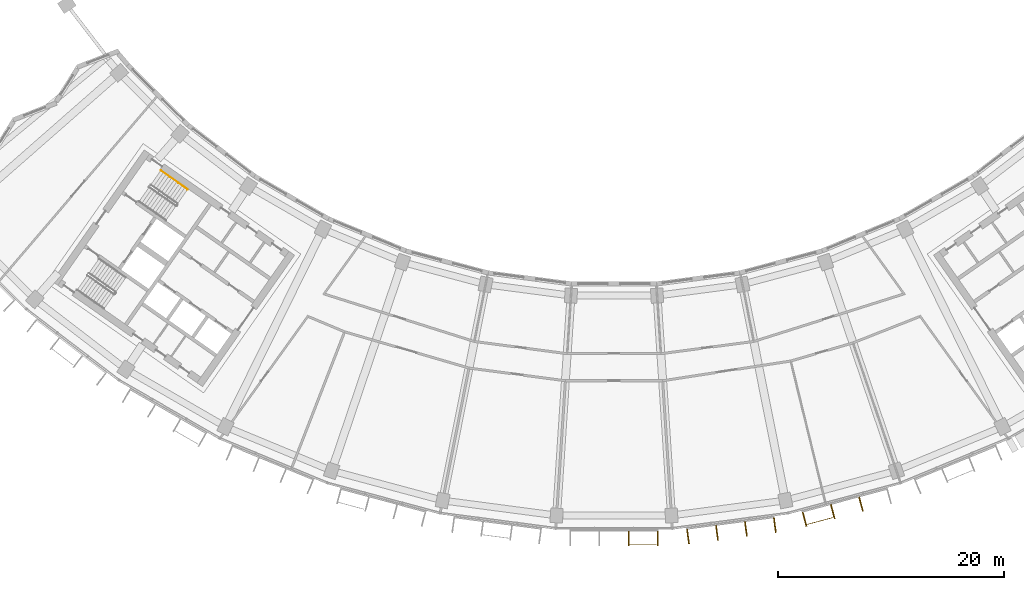
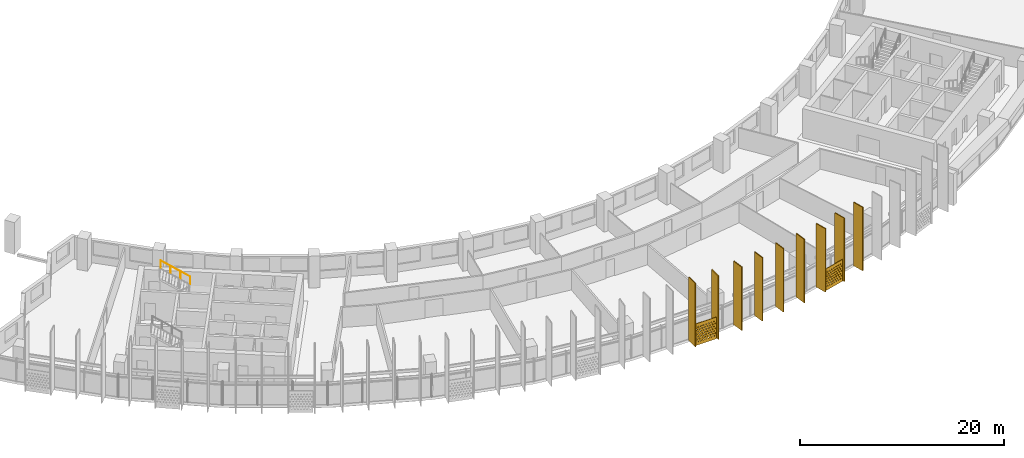
# One storey, part 24 of 27: 11 shading devices, 1 railing.
"""IFC4 building model written with IfcOpenShell, lengths in metres."""

from ifc_helpers import new_model, si_unit, direction, frame, origin, origin_2d, place, context, subcontext, project, spatial, polyline, rectangle, circle, outline, extrude, material, material_profile, profile_set, type_object, element, save


model = new_model("IFC4")

# Units and contexts
model_context = context("Model", 3, precision=1e-05, world=origin(), true_north=direction((0.0, 1.0)))
body_context = subcontext(model_context, "Body", "Model", "MODEL_VIEW")
ifc_project = project(units=[si_unit("LENGTHUNIT", "METRE"), si_unit("AREAUNIT", "SQUARE_METRE"), si_unit("VOLUMEUNIT", "CUBIC_METRE"), si_unit("PLANEANGLEUNIT", "RADIAN"), si_unit("MASSUNIT", "GRAM", prefix="KILO")], contexts=[model_context])

# Site, building, storey
site_placement = place(None, origin())
site = spatial("IfcSite", under=ifc_project, at=site_placement, CompositionType="ELEMENT")
building_placement = place(site_placement, origin())
building = spatial("IfcBuilding", under=site, at=building_placement, Name="Qamariyya Broadcast Tower", CompositionType="ELEMENT")
storey_placement = place(building_placement, frame((0.0, 0.0, 164.5)))
storey = spatial("IfcBuildingStorey", under=building, at=storey_placement, Name="L38", CompositionType="ELEMENT", Elevation=164.5)

# Shading devices
ifc_material_1 = material(Name="Perforated glazed terracotta", Category="masonry")
ifc_material_profile_1 = material_profile(ifc_material_1, outline(polyline([(-1.199951171875, -1.300048828125), (1.199951171875, -1.300048828125), (1.199951171875, 1.300048828125), (-1.199951171875, 1.300048828125), (-1.199951171875, -1.300048828125)]), holes=[polyline([(-0.81494140625, -0.86669921875), (-0.89990234375, -0.78173828125), (-0.985107421875, -0.86669921875), (-0.89990234375, -0.95166015625), (-0.81494140625, -0.86669921875)]), polyline([(-0.514892578125, -0.86669921875), (-0.60009765625, -0.78173828125), (-0.68505859375, -0.86669921875), (-0.60009765625, -0.95166015625), (-0.514892578125, -0.86669921875)]), polyline([(-0.215087890625, -0.86669921875), (-0.300048828125, -0.78173828125), (-0.385009765625, -0.86669921875), (-0.300048828125, -0.95166015625), (-0.215087890625, -0.86669921875)]), polyline([(0.0849609375, -0.86669921875), (0.0, -0.78173828125), (-0.0849609375, -0.86669921875), (0.0, -0.95166015625), (0.0849609375, -0.86669921875)]), polyline([(0.385009765625, -0.86669921875), (0.300048828125, -0.78173828125), (0.215087890625, -0.86669921875), (0.300048828125, -0.95166015625), (0.385009765625, -0.86669921875)]), polyline([(0.68505859375, -0.86669921875), (0.60009765625, -0.78173828125), (0.514892578125, -0.86669921875), (0.60009765625, -0.95166015625), (0.68505859375, -0.86669921875)]), polyline([(0.985107421875, -0.86669921875), (0.89990234375, -0.78173828125), (0.81494140625, -0.86669921875), (0.89990234375, -0.95166015625), (0.985107421875, -0.86669921875)]), polyline([(-0.965087890625, -0.577880859375), (-1.050048828125, -0.49267578125), (-1.135009765625, -0.577880859375), (-1.050048828125, -0.662841796875), (-0.965087890625, -0.577880859375)]), polyline([(-0.6650390625, -0.577880859375), (-0.75, -0.49267578125), (-0.8349609375, -0.577880859375), (-0.75, -0.662841796875), (-0.6650390625, -0.577880859375)]), polyline([(-0.364990234375, -0.577880859375), (-0.449951171875, -0.49267578125), (-0.534912109375, -0.577880859375), (-0.449951171875, -0.662841796875), (-0.364990234375, -0.577880859375)]), polyline([(-0.06494140625, -0.577880859375), (-0.14990234375, -0.49267578125), (-0.235107421875, -0.577880859375), (-0.14990234375, -0.662841796875), (-0.06494140625, -0.577880859375)]), polyline([(0.235107421875, -0.577880859375), (0.14990234375, -0.49267578125), (0.06494140625, -0.577880859375), (0.14990234375, -0.662841796875), (0.235107421875, -0.577880859375)]), polyline([(0.534912109375, -0.577880859375), (0.449951171875, -0.49267578125), (0.364990234375, -0.577880859375), (0.449951171875, -0.662841796875), (0.534912109375, -0.577880859375)]), polyline([(0.8349609375, -0.577880859375), (0.75, -0.49267578125), (0.6650390625, -0.577880859375), (0.75, -0.662841796875), (0.8349609375, -0.577880859375)]), polyline([(1.135009765625, -0.577880859375), (1.050048828125, -0.49267578125), (0.965087890625, -0.577880859375), (1.050048828125, -0.662841796875), (1.135009765625, -0.577880859375)]), polyline([(-0.81494140625, -0.288818359375), (-0.89990234375, -0.203857421875), (-0.985107421875, -0.288818359375), (-0.89990234375, -0.373779296875), (-0.81494140625, -0.288818359375)]), polyline([(-0.514892578125, -0.288818359375), (-0.60009765625, -0.203857421875), (-0.68505859375, -0.288818359375), (-0.60009765625, -0.373779296875), (-0.514892578125, -0.288818359375)]), polyline([(-0.215087890625, -0.288818359375), (-0.300048828125, -0.203857421875), (-0.385009765625, -0.288818359375), (-0.300048828125, -0.373779296875), (-0.215087890625, -0.288818359375)]), polyline([(0.0849609375, -0.288818359375), (0.0, -0.203857421875), (-0.0849609375, -0.288818359375), (0.0, -0.373779296875), (0.0849609375, -0.288818359375)]), polyline([(0.385009765625, -0.288818359375), (0.300048828125, -0.203857421875), (0.215087890625, -0.288818359375), (0.300048828125, -0.373779296875), (0.385009765625, -0.288818359375)]), polyline([(0.68505859375, -0.288818359375), (0.60009765625, -0.203857421875), (0.514892578125, -0.288818359375), (0.60009765625, -0.373779296875), (0.68505859375, -0.288818359375)]), polyline([(0.985107421875, -0.288818359375), (0.89990234375, -0.203857421875), (0.81494140625, -0.288818359375), (0.89990234375, -0.373779296875), (0.985107421875, -0.288818359375)]), polyline([(-0.965087890625, 0.0), (-1.050048828125, 0.0849609375), (-1.135009765625, 0.0), (-1.050048828125, -0.0849609375), (-0.965087890625, 0.0)]), polyline([(-0.6650390625, 0.0), (-0.75, 0.0849609375), (-0.8349609375, 0.0), (-0.75, -0.0849609375), (-0.6650390625, 0.0)]), polyline([(-0.364990234375, 0.0), (-0.449951171875, 0.0849609375), (-0.534912109375, 0.0), (-0.449951171875, -0.0849609375), (-0.364990234375, 0.0)]), polyline([(-0.06494140625, 0.0), (-0.14990234375, 0.0849609375), (-0.235107421875, 0.0), (-0.14990234375, -0.0849609375), (-0.06494140625, 0.0)]), polyline([(0.235107421875, 0.0), (0.14990234375, 0.0849609375), (0.06494140625, 0.0), (0.14990234375, -0.0849609375), (0.235107421875, 0.0)]), polyline([(0.534912109375, 0.0), (0.449951171875, 0.0849609375), (0.364990234375, 0.0), (0.449951171875, -0.0849609375), (0.534912109375, 0.0)]), polyline([(0.8349609375, 0.0), (0.75, 0.0849609375), (0.6650390625, 0.0), (0.75, -0.0849609375), (0.8349609375, 0.0)]), polyline([(1.135009765625, 0.0), (1.050048828125, 0.0849609375), (0.965087890625, 0.0), (1.050048828125, -0.0849609375), (1.135009765625, 0.0)]), polyline([(-0.81494140625, 0.288818359375), (-0.89990234375, 0.373779296875), (-0.985107421875, 0.288818359375), (-0.89990234375, 0.203857421875), (-0.81494140625, 0.288818359375)]), polyline([(-0.514892578125, 0.288818359375), (-0.60009765625, 0.373779296875), (-0.68505859375, 0.288818359375), (-0.60009765625, 0.203857421875), (-0.514892578125, 0.288818359375)]), polyline([(-0.215087890625, 0.288818359375), (-0.300048828125, 0.373779296875), (-0.385009765625, 0.288818359375), (-0.300048828125, 0.203857421875), (-0.215087890625, 0.288818359375)]), polyline([(0.0849609375, 0.288818359375), (0.0, 0.373779296875), (-0.0849609375, 0.288818359375), (0.0, 0.203857421875), (0.0849609375, 0.288818359375)]), polyline([(0.385009765625, 0.288818359375), (0.300048828125, 0.373779296875), (0.215087890625, 0.288818359375), (0.300048828125, 0.203857421875), (0.385009765625, 0.288818359375)]), polyline([(0.68505859375, 0.288818359375), (0.60009765625, 0.373779296875), (0.514892578125, 0.288818359375), (0.60009765625, 0.203857421875), (0.68505859375, 0.288818359375)]), polyline([(0.985107421875, 0.288818359375), (0.89990234375, 0.373779296875), (0.81494140625, 0.288818359375), (0.89990234375, 0.203857421875), (0.985107421875, 0.288818359375)]), polyline([(-0.965087890625, 0.577880859375), (-1.050048828125, 0.662841796875), (-1.135009765625, 0.577880859375), (-1.050048828125, 0.49267578125), (-0.965087890625, 0.577880859375)]), polyline([(-0.6650390625, 0.577880859375), (-0.75, 0.662841796875), (-0.8349609375, 0.577880859375), (-0.75, 0.49267578125), (-0.6650390625, 0.577880859375)]), polyline([(-0.364990234375, 0.577880859375), (-0.449951171875, 0.662841796875), (-0.534912109375, 0.577880859375), (-0.449951171875, 0.49267578125), (-0.364990234375, 0.577880859375)]), polyline([(-0.06494140625, 0.577880859375), (-0.14990234375, 0.662841796875), (-0.235107421875, 0.577880859375), (-0.14990234375, 0.49267578125), (-0.06494140625, 0.577880859375)]), polyline([(0.235107421875, 0.577880859375), (0.14990234375, 0.662841796875), (0.06494140625, 0.577880859375), (0.14990234375, 0.49267578125), (0.235107421875, 0.577880859375)]), polyline([(0.534912109375, 0.577880859375), (0.449951171875, 0.662841796875), (0.364990234375, 0.577880859375), (0.449951171875, 0.49267578125), (0.534912109375, 0.577880859375)]), polyline([(0.8349609375, 0.577880859375), (0.75, 0.662841796875), (0.6650390625, 0.577880859375), (0.75, 0.49267578125), (0.8349609375, 0.577880859375)]), polyline([(1.135009765625, 0.577880859375), (1.050048828125, 0.662841796875), (0.965087890625, 0.577880859375), (1.050048828125, 0.49267578125), (1.135009765625, 0.577880859375)]), polyline([(-0.81494140625, 0.86669921875), (-0.89990234375, 0.95166015625), (-0.985107421875, 0.86669921875), (-0.89990234375, 0.78173828125), (-0.81494140625, 0.86669921875)]), polyline([(-0.514892578125, 0.86669921875), (-0.60009765625, 0.95166015625), (-0.68505859375, 0.86669921875), (-0.60009765625, 0.78173828125), (-0.514892578125, 0.86669921875)]), polyline([(-0.215087890625, 0.86669921875), (-0.300048828125, 0.95166015625), (-0.385009765625, 0.86669921875), (-0.300048828125, 0.78173828125), (-0.215087890625, 0.86669921875)]), polyline([(0.0849609375, 0.86669921875), (0.0, 0.95166015625), (-0.0849609375, 0.86669921875), (0.0, 0.78173828125), (0.0849609375, 0.86669921875)]), polyline([(0.385009765625, 0.86669921875), (0.300048828125, 0.95166015625), (0.215087890625, 0.86669921875), (0.300048828125, 0.78173828125), (0.385009765625, 0.86669921875)]), polyline([(0.68505859375, 0.86669921875), (0.60009765625, 0.95166015625), (0.514892578125, 0.86669921875), (0.60009765625, 0.78173828125), (0.68505859375, 0.86669921875)]), polyline([(0.985107421875, 0.86669921875), (0.89990234375, 0.95166015625), (0.81494140625, 0.86669921875), (0.89990234375, 0.78173828125), (0.985107421875, 0.86669921875)])]))
ifc_profile_set_1 = profile_set([ifc_material_profile_1], Name="Perforated glazed terracotta")
shading_device_type_1 = type_object("IfcShadingDeviceType", Name="Perforated terracotta screen 2400 x 2600", PredefinedType="USERDEFINED", material=ifc_profile_set_1)
shading_device_1_placement = place(storey_placement, frame((2.541748046875, -80.100830078125, 1.35009765625), z_axis=(0.0, -1.0, 0.0), x_axis=(1.0, 0.0, 0.0)))
element("IfcShadingDevice", 1, at=shading_device_1_placement, inside=storey, type_object=shading_device_type_1, Name="e-scr-L38-07-2", ObjectType="SCREEN", PredefinedType="USERDEFINED", context=body_context, shape_type="SweptSolid", body=[
    extrude(outline(polyline([(-1.199951171875, -1.300048828125), (1.199951171875, -1.300048828125), (1.199951171875, 1.300048828125), (-1.199951171875, 1.300048828125), (-1.199951171875, -1.300048828125)]), holes=[polyline([(-0.81494140625, -0.86669921875), (-0.89990234375, -0.78173828125), (-0.985107421875, -0.86669921875), (-0.89990234375, -0.95166015625), (-0.81494140625, -0.86669921875)]), polyline([(-0.514892578125, -0.86669921875), (-0.60009765625, -0.78173828125), (-0.68505859375, -0.86669921875), (-0.60009765625, -0.95166015625), (-0.514892578125, -0.86669921875)]), polyline([(-0.215087890625, -0.86669921875), (-0.300048828125, -0.78173828125), (-0.385009765625, -0.86669921875), (-0.300048828125, -0.95166015625), (-0.215087890625, -0.86669921875)]), polyline([(0.0849609375, -0.86669921875), (0.0, -0.78173828125), (-0.0849609375, -0.86669921875), (0.0, -0.95166015625), (0.0849609375, -0.86669921875)]), polyline([(0.385009765625, -0.86669921875), (0.300048828125, -0.78173828125), (0.215087890625, -0.86669921875), (0.300048828125, -0.95166015625), (0.385009765625, -0.86669921875)]), polyline([(0.68505859375, -0.86669921875), (0.60009765625, -0.78173828125), (0.514892578125, -0.86669921875), (0.60009765625, -0.95166015625), (0.68505859375, -0.86669921875)]), polyline([(0.985107421875, -0.86669921875), (0.89990234375, -0.78173828125), (0.81494140625, -0.86669921875), (0.89990234375, -0.95166015625), (0.985107421875, -0.86669921875)]), polyline([(-0.965087890625, -0.577880859375), (-1.050048828125, -0.49267578125), (-1.135009765625, -0.577880859375), (-1.050048828125, -0.662841796875), (-0.965087890625, -0.577880859375)]), polyline([(-0.6650390625, -0.577880859375), (-0.75, -0.49267578125), (-0.8349609375, -0.577880859375), (-0.75, -0.662841796875), (-0.6650390625, -0.577880859375)]), polyline([(-0.364990234375, -0.577880859375), (-0.449951171875, -0.49267578125), (-0.534912109375, -0.577880859375), (-0.449951171875, -0.662841796875), (-0.364990234375, -0.577880859375)]), polyline([(-0.06494140625, -0.577880859375), (-0.14990234375, -0.49267578125), (-0.235107421875, -0.577880859375), (-0.14990234375, -0.662841796875), (-0.06494140625, -0.577880859375)]), polyline([(0.235107421875, -0.577880859375), (0.14990234375, -0.49267578125), (0.06494140625, -0.577880859375), (0.14990234375, -0.662841796875), (0.235107421875, -0.577880859375)]), polyline([(0.534912109375, -0.577880859375), (0.449951171875, -0.49267578125), (0.364990234375, -0.577880859375), (0.449951171875, -0.662841796875), (0.534912109375, -0.577880859375)]), polyline([(0.8349609375, -0.577880859375), (0.75, -0.49267578125), (0.6650390625, -0.577880859375), (0.75, -0.662841796875), (0.8349609375, -0.577880859375)]), polyline([(1.135009765625, -0.577880859375), (1.050048828125, -0.49267578125), (0.965087890625, -0.577880859375), (1.050048828125, -0.662841796875), (1.135009765625, -0.577880859375)]), polyline([(-0.81494140625, -0.288818359375), (-0.89990234375, -0.203857421875), (-0.985107421875, -0.288818359375), (-0.89990234375, -0.373779296875), (-0.81494140625, -0.288818359375)]), polyline([(-0.514892578125, -0.288818359375), (-0.60009765625, -0.203857421875), (-0.68505859375, -0.288818359375), (-0.60009765625, -0.373779296875), (-0.514892578125, -0.288818359375)]), polyline([(-0.215087890625, -0.288818359375), (-0.300048828125, -0.203857421875), (-0.385009765625, -0.288818359375), (-0.300048828125, -0.373779296875), (-0.215087890625, -0.288818359375)]), polyline([(0.0849609375, -0.288818359375), (0.0, -0.203857421875), (-0.0849609375, -0.288818359375), (0.0, -0.373779296875), (0.0849609375, -0.288818359375)]), polyline([(0.385009765625, -0.288818359375), (0.300048828125, -0.203857421875), (0.215087890625, -0.288818359375), (0.300048828125, -0.373779296875), (0.385009765625, -0.288818359375)]), polyline([(0.68505859375, -0.288818359375), (0.60009765625, -0.203857421875), (0.514892578125, -0.288818359375), (0.60009765625, -0.373779296875), (0.68505859375, -0.288818359375)]), polyline([(0.985107421875, -0.288818359375), (0.89990234375, -0.203857421875), (0.81494140625, -0.288818359375), (0.89990234375, -0.373779296875), (0.985107421875, -0.288818359375)]), polyline([(-0.965087890625, 0.0), (-1.050048828125, 0.0849609375), (-1.135009765625, 0.0), (-1.050048828125, -0.0849609375), (-0.965087890625, 0.0)]), polyline([(-0.6650390625, 0.0), (-0.75, 0.0849609375), (-0.8349609375, 0.0), (-0.75, -0.0849609375), (-0.6650390625, 0.0)]), polyline([(-0.364990234375, 0.0), (-0.449951171875, 0.0849609375), (-0.534912109375, 0.0), (-0.449951171875, -0.0849609375), (-0.364990234375, 0.0)]), polyline([(-0.06494140625, 0.0), (-0.14990234375, 0.0849609375), (-0.235107421875, 0.0), (-0.14990234375, -0.0849609375), (-0.06494140625, 0.0)]), polyline([(0.235107421875, 0.0), (0.14990234375, 0.0849609375), (0.06494140625, 0.0), (0.14990234375, -0.0849609375), (0.235107421875, 0.0)]), polyline([(0.534912109375, 0.0), (0.449951171875, 0.0849609375), (0.364990234375, 0.0), (0.449951171875, -0.0849609375), (0.534912109375, 0.0)]), polyline([(0.8349609375, 0.0), (0.75, 0.0849609375), (0.6650390625, 0.0), (0.75, -0.0849609375), (0.8349609375, 0.0)]), polyline([(1.135009765625, 0.0), (1.050048828125, 0.0849609375), (0.965087890625, 0.0), (1.050048828125, -0.0849609375), (1.135009765625, 0.0)]), polyline([(-0.81494140625, 0.288818359375), (-0.89990234375, 0.373779296875), (-0.985107421875, 0.288818359375), (-0.89990234375, 0.203857421875), (-0.81494140625, 0.288818359375)]), polyline([(-0.514892578125, 0.288818359375), (-0.60009765625, 0.373779296875), (-0.68505859375, 0.288818359375), (-0.60009765625, 0.203857421875), (-0.514892578125, 0.288818359375)]), polyline([(-0.215087890625, 0.288818359375), (-0.300048828125, 0.373779296875), (-0.385009765625, 0.288818359375), (-0.300048828125, 0.203857421875), (-0.215087890625, 0.288818359375)]), polyline([(0.0849609375, 0.288818359375), (0.0, 0.373779296875), (-0.0849609375, 0.288818359375), (0.0, 0.203857421875), (0.0849609375, 0.288818359375)]), polyline([(0.385009765625, 0.288818359375), (0.300048828125, 0.373779296875), (0.215087890625, 0.288818359375), (0.300048828125, 0.203857421875), (0.385009765625, 0.288818359375)]), polyline([(0.68505859375, 0.288818359375), (0.60009765625, 0.373779296875), (0.514892578125, 0.288818359375), (0.60009765625, 0.203857421875), (0.68505859375, 0.288818359375)]), polyline([(0.985107421875, 0.288818359375), (0.89990234375, 0.373779296875), (0.81494140625, 0.288818359375), (0.89990234375, 0.203857421875), (0.985107421875, 0.288818359375)]), polyline([(-0.965087890625, 0.577880859375), (-1.050048828125, 0.662841796875), (-1.135009765625, 0.577880859375), (-1.050048828125, 0.49267578125), (-0.965087890625, 0.577880859375)]), polyline([(-0.6650390625, 0.577880859375), (-0.75, 0.662841796875), (-0.8349609375, 0.577880859375), (-0.75, 0.49267578125), (-0.6650390625, 0.577880859375)]), polyline([(-0.364990234375, 0.577880859375), (-0.449951171875, 0.662841796875), (-0.534912109375, 0.577880859375), (-0.449951171875, 0.49267578125), (-0.364990234375, 0.577880859375)]), polyline([(-0.06494140625, 0.577880859375), (-0.14990234375, 0.662841796875), (-0.235107421875, 0.577880859375), (-0.14990234375, 0.49267578125), (-0.06494140625, 0.577880859375)]), polyline([(0.235107421875, 0.577880859375), (0.14990234375, 0.662841796875), (0.06494140625, 0.577880859375), (0.14990234375, 0.49267578125), (0.235107421875, 0.577880859375)]), polyline([(0.534912109375, 0.577880859375), (0.449951171875, 0.662841796875), (0.364990234375, 0.577880859375), (0.449951171875, 0.49267578125), (0.534912109375, 0.577880859375)]), polyline([(0.8349609375, 0.577880859375), (0.75, 0.662841796875), (0.6650390625, 0.577880859375), (0.75, 0.49267578125), (0.8349609375, 0.577880859375)]), polyline([(1.135009765625, 0.577880859375), (1.050048828125, 0.662841796875), (0.965087890625, 0.577880859375), (1.050048828125, 0.49267578125), (1.135009765625, 0.577880859375)]), polyline([(-0.81494140625, 0.86669921875), (-0.89990234375, 0.95166015625), (-0.985107421875, 0.86669921875), (-0.89990234375, 0.78173828125), (-0.81494140625, 0.86669921875)]), polyline([(-0.514892578125, 0.86669921875), (-0.60009765625, 0.95166015625), (-0.68505859375, 0.86669921875), (-0.60009765625, 0.78173828125), (-0.514892578125, 0.86669921875)]), polyline([(-0.215087890625, 0.86669921875), (-0.300048828125, 0.95166015625), (-0.385009765625, 0.86669921875), (-0.300048828125, 0.78173828125), (-0.215087890625, 0.86669921875)]), polyline([(0.0849609375, 0.86669921875), (0.0, 0.95166015625), (-0.0849609375, 0.86669921875), (0.0, 0.78173828125), (0.0849609375, 0.86669921875)]), polyline([(0.385009765625, 0.86669921875), (0.300048828125, 0.95166015625), (0.215087890625, 0.86669921875), (0.300048828125, 0.78173828125), (0.385009765625, 0.86669921875)]), polyline([(0.68505859375, 0.86669921875), (0.60009765625, 0.95166015625), (0.514892578125, 0.86669921875), (0.60009765625, 0.78173828125), (0.68505859375, 0.86669921875)]), polyline([(0.985107421875, 0.86669921875), (0.89990234375, 0.95166015625), (0.81494140625, 0.86669921875), (0.89990234375, 0.78173828125), (0.985107421875, 0.86669921875)])]), origin(), (0.0, 0.0, 1.0), 0.06005859375),
])
shading_device_2_placement = place(storey_placement, frame((18.196044921875, -78.051025390625, 1.35009765625), z_axis=(0.256901156343, -0.966437683387, 0.0), x_axis=(0.966437683387, 0.256901156343, 0.0)))
element("IfcShadingDevice", 2, at=shading_device_2_placement, inside=storey, type_object=shading_device_type_1, Name="e-scr-L38-09-0", ObjectType="SCREEN", PredefinedType="USERDEFINED", context=body_context, shape_type="SweptSolid", body=[
    extrude(outline(polyline([(-1.199951171875, -1.300048828125), (1.199951171875, -1.300048828125), (1.199951171875, 1.300048828125), (-1.199951171875, 1.300048828125), (-1.199951171875, -1.300048828125)]), holes=[polyline([(-0.81494140625, -0.86669921875), (-0.89990234375, -0.78173828125), (-0.985107421875, -0.86669921875), (-0.89990234375, -0.95166015625), (-0.81494140625, -0.86669921875)]), polyline([(-0.514892578125, -0.86669921875), (-0.60009765625, -0.78173828125), (-0.68505859375, -0.86669921875), (-0.60009765625, -0.95166015625), (-0.514892578125, -0.86669921875)]), polyline([(-0.215087890625, -0.86669921875), (-0.300048828125, -0.78173828125), (-0.385009765625, -0.86669921875), (-0.300048828125, -0.95166015625), (-0.215087890625, -0.86669921875)]), polyline([(0.0849609375, -0.86669921875), (0.0, -0.78173828125), (-0.0849609375, -0.86669921875), (0.0, -0.95166015625), (0.0849609375, -0.86669921875)]), polyline([(0.385009765625, -0.86669921875), (0.300048828125, -0.78173828125), (0.215087890625, -0.86669921875), (0.300048828125, -0.95166015625), (0.385009765625, -0.86669921875)]), polyline([(0.68505859375, -0.86669921875), (0.60009765625, -0.78173828125), (0.514892578125, -0.86669921875), (0.60009765625, -0.95166015625), (0.68505859375, -0.86669921875)]), polyline([(0.985107421875, -0.86669921875), (0.89990234375, -0.78173828125), (0.81494140625, -0.86669921875), (0.89990234375, -0.95166015625), (0.985107421875, -0.86669921875)]), polyline([(-0.965087890625, -0.577880859375), (-1.050048828125, -0.49267578125), (-1.135009765625, -0.577880859375), (-1.050048828125, -0.662841796875), (-0.965087890625, -0.577880859375)]), polyline([(-0.6650390625, -0.577880859375), (-0.75, -0.49267578125), (-0.8349609375, -0.577880859375), (-0.75, -0.662841796875), (-0.6650390625, -0.577880859375)]), polyline([(-0.364990234375, -0.577880859375), (-0.449951171875, -0.49267578125), (-0.534912109375, -0.577880859375), (-0.449951171875, -0.662841796875), (-0.364990234375, -0.577880859375)]), polyline([(-0.06494140625, -0.577880859375), (-0.14990234375, -0.49267578125), (-0.235107421875, -0.577880859375), (-0.14990234375, -0.662841796875), (-0.06494140625, -0.577880859375)]), polyline([(0.235107421875, -0.577880859375), (0.14990234375, -0.49267578125), (0.06494140625, -0.577880859375), (0.14990234375, -0.662841796875), (0.235107421875, -0.577880859375)]), polyline([(0.534912109375, -0.577880859375), (0.449951171875, -0.49267578125), (0.364990234375, -0.577880859375), (0.449951171875, -0.662841796875), (0.534912109375, -0.577880859375)]), polyline([(0.8349609375, -0.577880859375), (0.75, -0.49267578125), (0.6650390625, -0.577880859375), (0.75, -0.662841796875), (0.8349609375, -0.577880859375)]), polyline([(1.135009765625, -0.577880859375), (1.050048828125, -0.49267578125), (0.965087890625, -0.577880859375), (1.050048828125, -0.662841796875), (1.135009765625, -0.577880859375)]), polyline([(-0.81494140625, -0.288818359375), (-0.89990234375, -0.203857421875), (-0.985107421875, -0.288818359375), (-0.89990234375, -0.373779296875), (-0.81494140625, -0.288818359375)]), polyline([(-0.514892578125, -0.288818359375), (-0.60009765625, -0.203857421875), (-0.68505859375, -0.288818359375), (-0.60009765625, -0.373779296875), (-0.514892578125, -0.288818359375)]), polyline([(-0.215087890625, -0.288818359375), (-0.300048828125, -0.203857421875), (-0.385009765625, -0.288818359375), (-0.300048828125, -0.373779296875), (-0.215087890625, -0.288818359375)]), polyline([(0.0849609375, -0.288818359375), (0.0, -0.203857421875), (-0.0849609375, -0.288818359375), (0.0, -0.373779296875), (0.0849609375, -0.288818359375)]), polyline([(0.385009765625, -0.288818359375), (0.300048828125, -0.203857421875), (0.215087890625, -0.288818359375), (0.300048828125, -0.373779296875), (0.385009765625, -0.288818359375)]), polyline([(0.68505859375, -0.288818359375), (0.60009765625, -0.203857421875), (0.514892578125, -0.288818359375), (0.60009765625, -0.373779296875), (0.68505859375, -0.288818359375)]), polyline([(0.985107421875, -0.288818359375), (0.89990234375, -0.203857421875), (0.81494140625, -0.288818359375), (0.89990234375, -0.373779296875), (0.985107421875, -0.288818359375)]), polyline([(-0.965087890625, 0.0), (-1.050048828125, 0.0849609375), (-1.135009765625, 0.0), (-1.050048828125, -0.0849609375), (-0.965087890625, 0.0)]), polyline([(-0.6650390625, 0.0), (-0.75, 0.0849609375), (-0.8349609375, 0.0), (-0.75, -0.0849609375), (-0.6650390625, 0.0)]), polyline([(-0.364990234375, 0.0), (-0.449951171875, 0.0849609375), (-0.534912109375, 0.0), (-0.449951171875, -0.0849609375), (-0.364990234375, 0.0)]), polyline([(-0.06494140625, 0.0), (-0.14990234375, 0.0849609375), (-0.235107421875, 0.0), (-0.14990234375, -0.0849609375), (-0.06494140625, 0.0)]), polyline([(0.235107421875, 0.0), (0.14990234375, 0.0849609375), (0.06494140625, 0.0), (0.14990234375, -0.0849609375), (0.235107421875, 0.0)]), polyline([(0.534912109375, 0.0), (0.449951171875, 0.0849609375), (0.364990234375, 0.0), (0.449951171875, -0.0849609375), (0.534912109375, 0.0)]), polyline([(0.8349609375, 0.0), (0.75, 0.0849609375), (0.6650390625, 0.0), (0.75, -0.0849609375), (0.8349609375, 0.0)]), polyline([(1.135009765625, 0.0), (1.050048828125, 0.0849609375), (0.965087890625, 0.0), (1.050048828125, -0.0849609375), (1.135009765625, 0.0)]), polyline([(-0.81494140625, 0.288818359375), (-0.89990234375, 0.373779296875), (-0.985107421875, 0.288818359375), (-0.89990234375, 0.203857421875), (-0.81494140625, 0.288818359375)]), polyline([(-0.514892578125, 0.288818359375), (-0.60009765625, 0.373779296875), (-0.68505859375, 0.288818359375), (-0.60009765625, 0.203857421875), (-0.514892578125, 0.288818359375)]), polyline([(-0.215087890625, 0.288818359375), (-0.300048828125, 0.373779296875), (-0.385009765625, 0.288818359375), (-0.300048828125, 0.203857421875), (-0.215087890625, 0.288818359375)]), polyline([(0.0849609375, 0.288818359375), (0.0, 0.373779296875), (-0.0849609375, 0.288818359375), (0.0, 0.203857421875), (0.0849609375, 0.288818359375)]), polyline([(0.385009765625, 0.288818359375), (0.300048828125, 0.373779296875), (0.215087890625, 0.288818359375), (0.300048828125, 0.203857421875), (0.385009765625, 0.288818359375)]), polyline([(0.68505859375, 0.288818359375), (0.60009765625, 0.373779296875), (0.514892578125, 0.288818359375), (0.60009765625, 0.203857421875), (0.68505859375, 0.288818359375)]), polyline([(0.985107421875, 0.288818359375), (0.89990234375, 0.373779296875), (0.81494140625, 0.288818359375), (0.89990234375, 0.203857421875), (0.985107421875, 0.288818359375)]), polyline([(-0.965087890625, 0.577880859375), (-1.050048828125, 0.662841796875), (-1.135009765625, 0.577880859375), (-1.050048828125, 0.49267578125), (-0.965087890625, 0.577880859375)]), polyline([(-0.6650390625, 0.577880859375), (-0.75, 0.662841796875), (-0.8349609375, 0.577880859375), (-0.75, 0.49267578125), (-0.6650390625, 0.577880859375)]), polyline([(-0.364990234375, 0.577880859375), (-0.449951171875, 0.662841796875), (-0.534912109375, 0.577880859375), (-0.449951171875, 0.49267578125), (-0.364990234375, 0.577880859375)]), polyline([(-0.06494140625, 0.577880859375), (-0.14990234375, 0.662841796875), (-0.235107421875, 0.577880859375), (-0.14990234375, 0.49267578125), (-0.06494140625, 0.577880859375)]), polyline([(0.235107421875, 0.577880859375), (0.14990234375, 0.662841796875), (0.06494140625, 0.577880859375), (0.14990234375, 0.49267578125), (0.235107421875, 0.577880859375)]), polyline([(0.534912109375, 0.577880859375), (0.449951171875, 0.662841796875), (0.364990234375, 0.577880859375), (0.449951171875, 0.49267578125), (0.534912109375, 0.577880859375)]), polyline([(0.8349609375, 0.577880859375), (0.75, 0.662841796875), (0.6650390625, 0.577880859375), (0.75, 0.49267578125), (0.8349609375, 0.577880859375)]), polyline([(1.135009765625, 0.577880859375), (1.050048828125, 0.662841796875), (0.965087890625, 0.577880859375), (1.050048828125, 0.49267578125), (1.135009765625, 0.577880859375)]), polyline([(-0.81494140625, 0.86669921875), (-0.89990234375, 0.95166015625), (-0.985107421875, 0.86669921875), (-0.89990234375, 0.78173828125), (-0.81494140625, 0.86669921875)]), polyline([(-0.514892578125, 0.86669921875), (-0.60009765625, 0.95166015625), (-0.68505859375, 0.86669921875), (-0.60009765625, 0.78173828125), (-0.514892578125, 0.86669921875)]), polyline([(-0.215087890625, 0.86669921875), (-0.300048828125, 0.95166015625), (-0.385009765625, 0.86669921875), (-0.300048828125, 0.78173828125), (-0.215087890625, 0.86669921875)]), polyline([(0.0849609375, 0.86669921875), (0.0, 0.95166015625), (-0.0849609375, 0.86669921875), (0.0, 0.78173828125), (0.0849609375, 0.86669921875)]), polyline([(0.385009765625, 0.86669921875), (0.300048828125, 0.95166015625), (0.215087890625, 0.86669921875), (0.300048828125, 0.78173828125), (0.385009765625, 0.86669921875)]), polyline([(0.68505859375, 0.86669921875), (0.60009765625, 0.95166015625), (0.514892578125, 0.86669921875), (0.60009765625, 0.78173828125), (0.68505859375, 0.86669921875)]), polyline([(0.985107421875, 0.86669921875), (0.89990234375, 0.95166015625), (0.81494140625, 0.86669921875), (0.89990234375, 0.78173828125), (0.985107421875, 0.86669921875)])]), origin(), (0.0, 0.0, 1.0), 0.059814453125),
])

# Railing
ifc_material_2 = material(Name="Stainless steel", Category="steel")
railing_type = type_object("IfcRailingType", Name="Stair handrail", PredefinedType="HANDRAIL", material=ifc_material_2)
railing_placement = place(storey_placement, frame((-37.73876953125, -48.7138671875, 2.07275390625)))
element("IfcRailing", 3, at=railing_placement, inside=storey, type_object=railing_type, Name="L38 ST-W2 stair handrail 2", PredefinedType="HANDRAIL", context=body_context, shape_type="SweptSolid", body=[
    extrude(circle(Radius=0.02392578125, at=origin_2d()), frame((0.0, 0.0, 0.8759765625), z_axis=(-0.703745009021, 0.492838488332, 0.511715923826), x_axis=(-0.573631830683, -0.819113253969, 0.0)), (0.0, 0.0, 1.0), 3.37548828125),
    extrude(circle(Radius=0.02099609375, at=origin_2d()), origin(), (0.0, 0.0, 1.0), 0.851806640625),
    extrude(circle(Radius=0.02099609375, at=origin_2d()), frame((-0.791748046875, 0.554443359375, 0.57568359375)), (0.0, 0.0, 1.0), 0.851806640625),
    extrude(circle(Radius=0.02099609375, at=origin_2d()), frame((-1.583740234375, 1.109130859375, 1.151611328125)), (0.0, 0.0, 1.0), 0.851806640625),
    extrude(circle(Radius=0.02099609375, at=origin_2d()), frame((-2.37548828125, 1.66357421875, 1.727294921875)), (0.0, 0.0, 1.0), 0.851806640625),
])

# Shading devices
ifc_material_3 = material(Name="Glazed terracotta", Category="masonry")
ifc_material_profile_2 = material_profile(ifc_material_3, rectangle(XDim=1.300048828125, YDim=0.10009765625, at=origin_2d()))
ifc_profile_set_2 = profile_set([ifc_material_profile_2], Name="Glazed terracotta")
shading_device_type_2 = type_object("IfcShadingDeviceType", Name="Terracotta fin 100 x 1300", PredefinedType="USERDEFINED", material=ifc_profile_set_2)
for number, where, z_axis, x_axis, name in (
    (4, (1.291748046875, -79.630859375, 0.0), (0.0, 0.0, 1.0), (0.0, -1.0, 0.0), "e-fin-L38-07-2"),
    (5, (3.875244140625, -79.630859375, 0.0), (0.0, 0.0, 1.0), (0.0, -1.0, 0.0), "e-fin-L38-07-3"),
    (6, (6.552001953125, -79.455322265625, 0.0), (0.0, 0.0, 1.0), (0.13052619222, -0.991444861374, 0.0), "e-fin-L38-08-0"),
    (7, (9.11328125, -79.1181640625, 0.0), (0.0, 0.0, 1.0), (0.13052619222, -0.991444861374, 0.0), "e-fin-L38-08-1"),
    (8, (11.674560546875, -78.781005859375, 0.0), (0.0, 0.0, 1.0), (0.13052619222, -0.991444861374, 0.0), "e-fin-L38-08-2"),
    (9, (14.23583984375, -78.44384765625, 0.0), (0.0, 0.0, 1.0), (0.13052619222, -0.991444861374, 0.0), "e-fin-L38-08-3"),
    (10, (16.866943359375, -77.92041015625, 0.0), (0.0, 0.0, 1.0), (0.258819045103, -0.965925826289, 0.0), "e-fin-L38-09-0"),
    (11, (19.3623046875, -77.251708984375, 0.0), (0.0, 0.0, 1.0), (0.258819045103, -0.965925826289, 0.0), "e-fin-L38-09-1"),
    (12, (21.857666015625, -76.583251953125, 0.0), (0.0, 0.0, 1.0), (0.258819045103, -0.965925826289, 0.0), "e-fin-L38-09-2"),
):
    element("IfcShadingDevice", number, at=place(storey_placement, frame(where, z_axis=z_axis, x_axis=x_axis)), inside=storey, type_object=shading_device_type_2, Name=name, ObjectType="FIN", PredefinedType="USERDEFINED", context=body_context, shape_type="SweptSolid", body=[
        extrude(rectangle(XDim=1.300048828125, YDim=0.10009765625, at=origin_2d()), origin(), (0.0, 0.0, 1.0), 7.60009765625),
    ])

save(model, "model.ifc")
